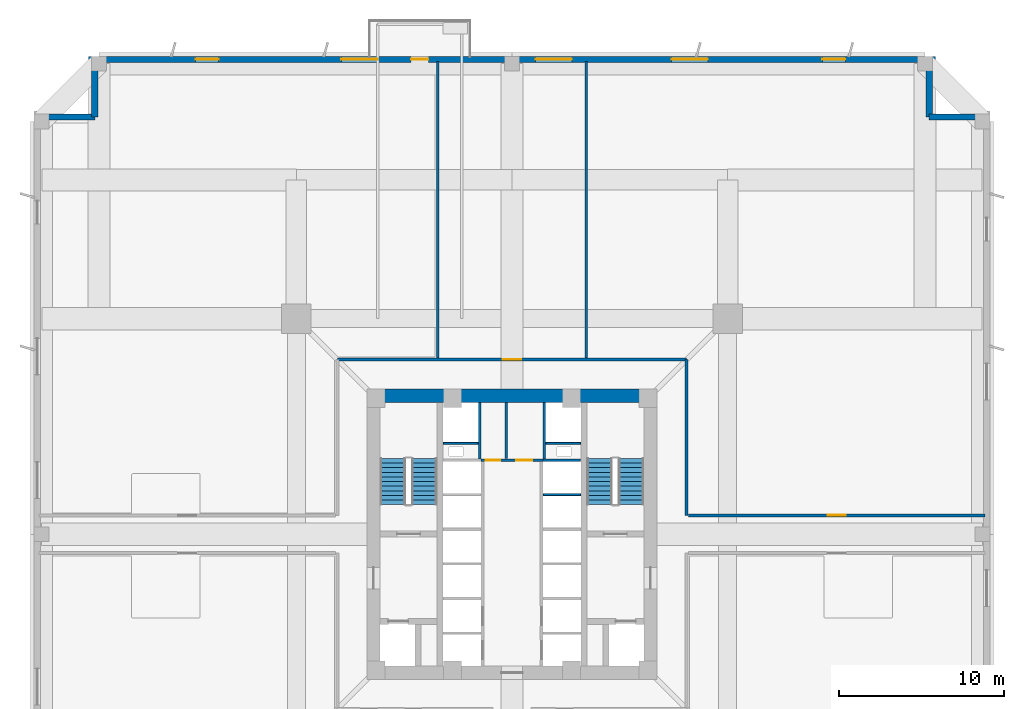
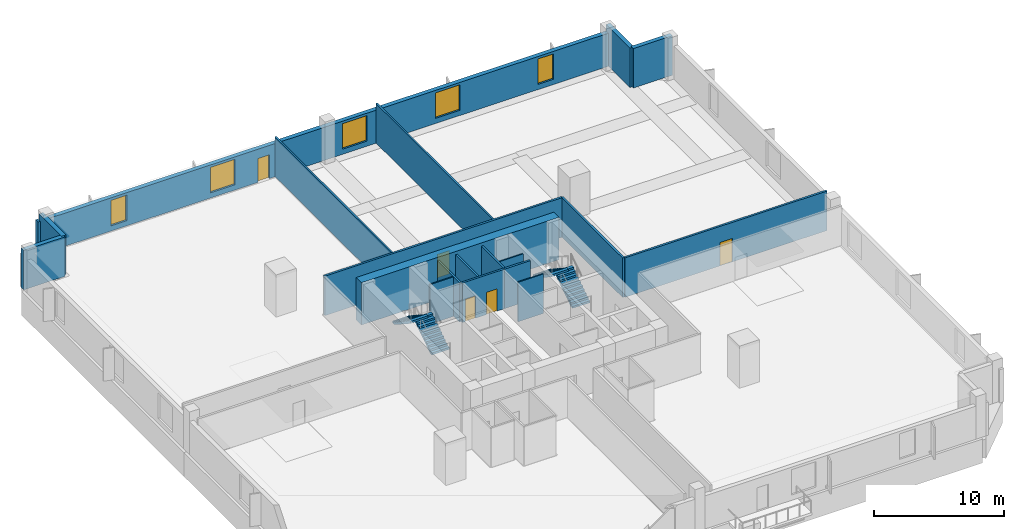
# One storey, part 4 of 9: 19 walls, 5 doors, 5 windows, 4 stair flights, 10 openings, 2 elements without a shape of their own.
"""IFC4 building model written with IfcOpenShell, lengths in metres."""

from ifc_helpers import new_model, si_unit, direction, frame, frame_2d, origin, place, context, subcontext, project, spatial, polyline, rectangle, outline, extrude, source, transform, mapped, material, layer, layer_set, type_object, element, fill, aggregate, save


model = new_model("IFC4")

# Units and contexts
model_context = context("Model", 3, precision=1e-05, world=origin(), true_north=direction((0.0, 1.0)))
body_context = subcontext(model_context, "Body", "Model", "MODEL_VIEW")
ifc_project = project(units=[si_unit("LENGTHUNIT", "METRE"), si_unit("AREAUNIT", "SQUARE_METRE"), si_unit("VOLUMEUNIT", "CUBIC_METRE"), si_unit("PLANEANGLEUNIT", "RADIAN"), si_unit("MASSUNIT", "GRAM", prefix="KILO"), si_unit("THERMODYNAMICTEMPERATUREUNIT", "KELVIN")], contexts=[model_context])

# Site, building, storey
site_placement = place(None, origin())
site = spatial("IfcSite", under=ifc_project, at=site_placement, CompositionType="ELEMENT")
building_placement = place(site_placement, origin())
building = spatial("IfcBuilding", under=site, at=building_placement, Name="Kosmvard Interchange Tower", CompositionType="ELEMENT")
storey_placement = place(building_placement, frame((0.0, 0.0, 26.0)))
storey = spatial("IfcBuildingStorey", under=building, at=storey_placement, Name="L05", CompositionType="ELEMENT", Elevation=26.0)

# Walls
ifc_material_1 = material(Name="Acoustic gypsum partition system")
ifc_layer_1 = layer(ifc_material_1, 0.14990234375, Name="Acoustic gypsum partition system")
ifc_layer_set_1 = layer_set([ifc_layer_1], Name="Acoustic gypsum partition system")
wall_type_1 = type_object("IfcWallType", Name="Acoustic Suite & Meeting Partition 150", PredefinedType="PARTITIONING", material=ifc_layer_set_1)
for number, where, z_axis, x_axis, name in (
    (1, (-4.5, 10.695068359375, 0.0), (0.0, 0.0, 1.0), (0.0, 1.0, 0.0), "L05 Room Partition 01.1"),
    (2, (4.5, 10.695068359375, 0.0), (0.0, 0.0, 1.0), (0.0, 1.0, 0.0), "L05 Room Partition 02.1"),
):
    element("IfcWall", number, at=place(storey_placement, frame(where, z_axis=z_axis, x_axis=x_axis)), inside=storey, type_object=wall_type_1, Name=name, PredefinedType="PARTITIONING", context=body_context, shape_type="SweptSolid", body=[
        extrude(rectangle(XDim=17.989990234375, YDim=0.14990234375, at=frame_2d((8.9951171875, 0.0))), origin(), (0.0, 0.0, 1.0), 3.719970703125),
    ])
ifc_material_2 = material(Name="Fire-rated gypsum partition system")
ifc_layer_2 = layer(ifc_material_2, 0.159912109375, Name="Fire-rated gypsum partition system")
ifc_layer_set_2 = layer_set([ifc_layer_2], Name="Fire-rated gypsum partition system")
wall_type_2 = type_object("IfcWallType", Name="Core Compartment & Shuttle Lobby Partition 160", PredefinedType="PARTITIONING", material=ifc_layer_set_2)
for number, where, z_axis, x_axis, name in (
    (3, (-1.9599609375, 4.580078125, 0.0), (0.0, 0.0, 1.0), (0.0, 1.0, 0.0), "L05 North Core West Wall"),
    (4, (1.9599609375, 4.580078125, 0.0), (0.0, 0.0, 1.0), (0.0, 1.0, 0.0), "L05 North Core East Wall"),
):
    element("IfcWall", number, at=place(storey_placement, frame(where, z_axis=z_axis, x_axis=x_axis)), inside=storey, type_object=wall_type_2, Name=name, PredefinedType="PARTITIONING", context=body_context, shape_type="SweptSolid", body=[
        extrude(rectangle(XDim=3.39990234375, YDim=0.159912109375, at=frame_2d((1.699951171875, 0.0))), origin(), (0.0, 0.0, 1.0), 3.719970703125),
    ])
ifc_material_3 = material(Name="Concrete blockwork masonry", Category="masonry")
ifc_layer_3 = layer(ifc_material_3, 0.159912109375, Name="Concrete blockwork masonry")
ifc_layer_set_3 = layer_set([ifc_layer_3], Name="Concrete blockwork masonry")
wall_type_3 = type_object("IfcWallType", Name="Core Enclosure Split Wall 160", PredefinedType="PARTITIONING", material=ifc_layer_set_3)
wall_1_placement = place(storey_placement, frame((-0.35009765625, 4.60009765625, 0.0), z_axis=(0.0, 0.0, 1.0), x_axis=(0.0, 1.0, 0.0)))
element("IfcWall", 5, at=wall_1_placement, inside=storey, type_object=wall_type_3, Name="L05 Core K2 Split Wall", PredefinedType="PARTITIONING", context=body_context, shape_type="SweptSolid", body=[
    extrude(rectangle(XDim=3.3798828125, YDim=0.159912109375, at=frame_2d((1.68994140625, 0.0))), origin(), (0.0, 0.0, 1.0), 3.719970703125),
])

# Wall, openings, doors
ifc_layer_4 = layer(ifc_material_2, 0.179931640625, Name="Fire-rated gypsum partition system")
ifc_layer_set_4 = layer_set([ifc_layer_4], Name="Fire-rated gypsum partition system")
wall_type_4 = type_object("IfcWallType", Name="Corridor & Hotel Compartment Partition 180", PredefinedType="PARTITIONING", material=ifc_layer_set_4)
wall_2_placement = place(storey_placement, frame((-1.8798828125, 4.489990234375, 0.0), z_axis=(0.0, 0.0, 1.0), x_axis=(1.0, 0.0, 0.0)))
wall_2 = element("IfcWall", 6, at=wall_2_placement, inside=storey, type_object=wall_type_4, Name="L05 Lift Lobby North Partition", PredefinedType="PARTITIONING", context=body_context, shape_type="SweptSolid", body=[
    extrude(rectangle(XDim=3.759765625, YDim=0.179931640625, at=frame_2d((1.8798828125, 0.0))), origin(), (0.0, 0.0, 1.0), 3.719970703125),
])
opening_1_placement = place(wall_2_placement, frame((0.280029296875, 0.0, 0.0)))
opening_1 = element("IfcOpeningElement", 7, at=opening_1_placement, cuts=wall_2, Name="Opening L05-KD1", PredefinedType="OPENING", context=body_context, shape_type="SweptSolid", body=[
    extrude(rectangle(XDim=0.8798828125, YDim=2.10009765625, at=frame_2d((0.43994140625, 1.050048828125))), frame((0.0, 0.10009765625, 0.0), z_axis=(0.0, -1.0, 0.0), x_axis=(1.0, 0.0, 0.0)), (0.0, 0.0, 1.0), 0.199951171875),
])
opening_2_placement = place(wall_2_placement, frame((2.14990234375, 0.0, 0.0)))
opening_2 = element("IfcOpeningElement", 8, at=opening_2_placement, cuts=wall_2, Name="Opening L05-KD2", PredefinedType="OPENING", context=body_context, shape_type="SweptSolid", body=[
    extrude(rectangle(XDim=0.949951171875, YDim=2.10009765625, at=frame_2d((0.47509765625, 1.050048828125))), frame((0.0, 0.10009765625, 0.0), z_axis=(0.0, -1.0, 0.0), x_axis=(1.0, 0.0, 0.0)), (0.0, 0.0, 1.0), 0.199951171875),
])
ifc_material_4 = material(Name="Painted fire-rated timber leaf", Category="wood")
door_type_1 = type_object("IfcDoorType", Name="Core Service Fire Door 950x2100 EI30", OperationType="NOTDEFINED", PredefinedType="DOOR", material=ifc_material_4)
shared_shape_1 = source(origin(), body_context, "Body", "SweptSolid", [
    extrude(rectangle(XDim=0.949951171875, YDim=2.10009765625, at=frame_2d((0.47509765625, 1.050048828125))), frame((0.0, 0.02490234375, 0.0), z_axis=(0.0, -1.0, 0.0), x_axis=(1.0, 0.0, 0.0)), (0.0, 0.0, 1.0), 0.050048828125),
])
door_1_placement = place(opening_2_placement, origin())
door_1 = element("IfcDoor", 9, at=door_1_placement, inside=storey, type_object=door_type_1, Name="L05 Core Tea Pantry Door", OperationType="SINGLE_SWING_RIGHT", OverallHeight=2.10009765625, OverallWidth=0.949951171875, PredefinedType="DOOR", context=body_context, shape_type="MappedRepresentation", body=[
    mapped(shared_shape_1, transform((0.0, 0.0, 0.0), scale=1.0)),
])
fill(opening_2, door_1)
door_type_2 = type_object("IfcDoorType", Name="Core Cupboard Fire Door 880x2100 EI30", OperationType="NOTDEFINED", PredefinedType="DOOR", material=ifc_material_4)
shared_shape_2 = source(origin(), body_context, "Body", "SweptSolid", [
    extrude(rectangle(XDim=0.8798828125, YDim=2.10009765625, at=frame_2d((0.43994140625, 1.050048828125))), frame((0.0, 0.02490234375, 0.0), z_axis=(0.0, -1.0, 0.0), x_axis=(1.0, 0.0, 0.0)), (0.0, 0.0, 1.0), 0.050048828125),
])
door_2_placement = place(opening_1_placement, origin())
door_2 = element("IfcDoor", 10, at=door_2_placement, inside=storey, type_object=door_type_2, Name="L05 Core Cleaner Cupboard Door", OperationType="SINGLE_SWING_LEFT", OverallHeight=2.10009765625, OverallWidth=0.8798828125, PredefinedType="DOOR", context=body_context, shape_type="MappedRepresentation", body=[
    mapped(shared_shape_2, transform((0.0, 0.0, 0.0), scale=1.0)),
])
fill(opening_1, door_2)

# Wall, opening, door
wall_3_placement = place(storey_placement, frame((-10.60009765625, 10.60009765625, 0.0), z_axis=(0.0, 0.0, 1.0), x_axis=(1.0, 0.0, 0.0)))
wall_3 = element("IfcWall", 11, at=wall_3_placement, inside=storey, type_object=wall_type_4, Name="L05 Corridor Wall CN", PredefinedType="PARTITIONING", context=body_context, shape_type="SweptSolid", body=[
    extrude(rectangle(XDim=21.2001953125, YDim=0.179931640625, at=frame_2d((10.60009765625, 0.0))), origin(), (0.0, 0.0, 1.0), 3.719970703125),
])
opening_3_placement = place(wall_3_placement, frame((10.050048828125, 0.0, 0.0)))
opening_3 = element("IfcOpeningElement", 12, at=opening_3_placement, cuts=wall_3, Name="Opening L05-D05", PredefinedType="OPENING", context=body_context, shape_type="SweptSolid", body=[
    extrude(rectangle(XDim=1.10009765625, YDim=2.199951171875, at=frame_2d((0.550048828125, 1.10009765625))), frame((0.0, 0.10009765625, 0.0), z_axis=(0.0, -1.0, 0.0), x_axis=(1.0, 0.0, 0.0)), (0.0, 0.0, 1.0), 0.199951171875),
])
ifc_material_5 = material(Name="Engineered oak fire-rated timber", Category="wood")
door_type_3 = type_object("IfcDoorType", Name="Office Suite Entrance Door 1100x2200 FD30S", OperationType="NOTDEFINED", PredefinedType="DOOR", material=ifc_material_5)
shared_shape_3 = source(origin(), body_context, "Body", "SweptSolid", [
    extrude(rectangle(XDim=1.10009765625, YDim=2.199951171875, at=frame_2d((0.550048828125, 1.10009765625))), frame((0.0, 0.02490234375, 0.0), z_axis=(0.0, -1.0, 0.0), x_axis=(1.0, 0.0, 0.0)), (0.0, 0.0, 1.0), 0.050048828125),
])
door_3_placement = place(opening_3_placement, origin())
door_3 = element("IfcDoor", 13, at=door_3_placement, inside=storey, type_object=door_type_3, Name="L05 Central Executive Boardroom Door", OperationType="SINGLE_SWING_LEFT", OverallHeight=2.199951171875, OverallWidth=1.10009765625, PredefinedType="DOOR", context=body_context, shape_type="MappedRepresentation", body=[
    mapped(shared_shape_3, transform((0.0, 0.0, 0.0), scale=1.0)),
])
fill(opening_3, door_3)

# Wall
wall_4_placement = place(storey_placement, frame((10.60009765625, 1.14990234375, 0.0), z_axis=(0.0, 0.0, 1.0), x_axis=(0.0, 1.0, 0.0)))
element("IfcWall", 14, at=wall_4_placement, inside=storey, type_object=wall_type_4, Name="L05 Corridor Wall CEN", PredefinedType="PARTITIONING", context=body_context, shape_type="SweptSolid", body=[
    extrude(rectangle(XDim=9.4501953125, YDim=0.179931640625, at=frame_2d((4.72509765625, 0.0))), origin(), (0.0, 0.0, 1.0), 3.719970703125),
])

# Wall, opening, door
wall_5_placement = place(storey_placement, frame((10.699951171875, 1.14990234375, 0.0), z_axis=(0.0, 0.0, 1.0), x_axis=(1.0, 0.0, 0.0)))
wall_5 = element("IfcWall", 15, at=wall_5_placement, inside=storey, type_object=wall_type_4, Name="L05 Corridor Wall SEN", PredefinedType="PARTITIONING", context=body_context, shape_type="SweptSolid", body=[
    extrude(rectangle(XDim=17.985107421875, YDim=0.179931640625, at=frame_2d((8.99267578125, 0.0))), origin(), (0.0, 0.0, 1.0), 3.719970703125),
])
opening_4_placement = place(wall_5_placement, frame((8.4423828125, 0.0, 0.0)))
opening_4 = element("IfcOpeningElement", 16, at=opening_4_placement, cuts=wall_5, Name="Opening L05-D06", PredefinedType="OPENING", context=body_context, shape_type="SweptSolid", body=[
    extrude(rectangle(XDim=1.10009765625, YDim=2.199951171875, at=frame_2d((0.550048828125, 1.10009765625))), frame((0.0, 0.10009765625, 0.0), z_axis=(0.0, -1.0, 0.0), x_axis=(1.0, 0.0, 0.0)), (0.0, 0.0, 1.0), 0.199951171875),
])
door_4_placement = place(opening_4_placement, origin())
door_4 = element("IfcDoor", 17, at=door_4_placement, inside=storey, type_object=door_type_3, Name="L05 North-East Open Plan Workplace Door", OperationType="SINGLE_SWING_RIGHT", OverallHeight=2.199951171875, OverallWidth=1.10009765625, PredefinedType="DOOR", context=body_context, shape_type="MappedRepresentation", body=[
    mapped(shared_shape_3, transform((0.0, 0.0, 0.0), scale=1.0)),
])
fill(opening_4, door_4)

# Walls
ifc_material_6 = material(Name="Concrete C80/95", Category="concrete")
ifc_layer_5 = layer(ifc_material_6, 0.800048828125, Name="Concrete C80/95")
ifc_layer_set_5 = layer_set([ifc_layer_5], Name="Concrete C80/95")
wall_type_5 = type_object("IfcWallType", Name="Lower Core Shear Wall 800 C80/95", PredefinedType="SHEAR", material=ifc_layer_set_5)
wall_6_placement = place(storey_placement, frame((-8.800048828125, 8.39990234375, 0.0), z_axis=(0.0, 0.0, 1.0), x_axis=(1.0, 0.0, 0.0)))
element("IfcWall", 18, at=wall_6_placement, inside=storey, type_object=wall_type_5, Name="L05 Core Shear Wall CW-N", PredefinedType="SHEAR", context=body_context, shape_type="SweptSolid", body=[
    extrude(rectangle(XDim=17.60009765625, YDim=0.800048828125, at=frame_2d((8.800048828125, 0.0))), origin(), (0.0, 0.0, 1.0), 4.0),
])
ifc_material_7 = material(Name="Precast concrete C45/55", Category="concrete")
ifc_layer_6 = layer(ifc_material_7, 0.3798828125, Name="Precast concrete C45/55")
ifc_layer_set_6 = layer_set([ifc_layer_6], Name="Precast concrete C45/55")
wall_type_6 = type_object("IfcWallType", Name="Lower Tower Precast Pier Wall 380 C45/55", PredefinedType="STANDARD", material=ifc_layer_set_6)
wall_7_placement = place(storey_placement, frame((28.81005859375, 25.31005859375, 0.0), z_axis=(0.0, 0.0, 1.0), x_axis=(-1.0, 0.0, 0.0)))
element("IfcWall", 19, at=wall_7_placement, inside=storey, type_object=wall_type_6, Name="L05 Precast Facade Wall N-NE1", PredefinedType="STANDARD", context=body_context, shape_type="SweptSolid", body=[
    extrude(rectangle(XDim=3.5, YDim=0.3798828125, at=frame_2d((1.75, 0.0))), origin(), (0.0, 0.0, 1.0), 3.719970703125),
])
wall_8_placement = place(storey_placement, frame((25.31005859375, 25.31005859375, 0.0), z_axis=(0.0, 0.0, 1.0), x_axis=(0.0, 1.0, 0.0)))
element("IfcWall", 20, at=wall_8_placement, inside=storey, type_object=wall_type_6, Name="L05 Precast Facade Wall N-NE2", PredefinedType="STANDARD", context=body_context, shape_type="SweptSolid", body=[
    extrude(rectangle(XDim=3.68994140625, YDim=0.3798828125, at=frame_2d((1.844970703125, 0.0))), origin(), (0.0, 0.0, 1.0), 3.719970703125),
])

# Wall, openings, door, windows
wall_9_placement = place(storey_placement, frame((25.68994140625, 28.81005859375, 0.0), z_axis=(0.0, 0.0, 1.0), x_axis=(-1.0, 0.0, 0.0)))
wall_9 = element("IfcWall", 21, at=wall_9_placement, inside=storey, type_object=wall_type_6, Name="L05 Precast Facade Wall F-N", PredefinedType="STANDARD", context=body_context, shape_type="SweptSolid", body=[
    extrude(rectangle(XDim=51.3798828125, YDim=0.3798828125, at=frame_2d((25.68994140625, 0.0))), origin(), (0.0, 0.0, 1.0), 3.1201171875),
])
opening_5_placement = place(wall_9_placement, frame((30.764892578125, 0.0, 0.0)))
opening_5 = element("IfcOpeningElement", 22, at=opening_5_placement, cuts=wall_9, Name="Opening L05-BDE", PredefinedType="OPENING", context=body_context, shape_type="SweptSolid", body=[
    extrude(rectangle(XDim=1.050048828125, YDim=2.25, at=frame_2d((0.52490234375, 1.125))), frame((0.0, 0.199951171875, 0.0), z_axis=(0.0, -1.0, 0.0), x_axis=(1.0, 0.0, 0.0)), (0.0, 0.0, 1.0), 0.39990234375),
])
opening_6_placement = place(wall_9_placement, frame((5.465576171875, 0.0, 0.489990234375)))
opening_6 = element("IfcOpeningElement", 23, at=opening_6_placement, cuts=wall_9, Name="Opening L05-W11", PredefinedType="OPENING", context=body_context, shape_type="SweptSolid", body=[
    extrude(rectangle(XDim=1.39990234375, YDim=2.39990234375, at=frame_2d((0.699951171875, 1.199951171875))), frame((0.0, 0.199951171875, 0.0), z_axis=(0.0, -1.0, 0.0), x_axis=(1.0, 0.0, 0.0)), (0.0, 0.0, 1.0), 0.39990234375),
])
opening_7_placement = place(wall_9_placement, frame((13.80029296875, 0.0, 0.489990234375)))
opening_7 = element("IfcOpeningElement", 24, at=opening_7_placement, cuts=wall_9, Name="Opening L05-W12", PredefinedType="OPENING", context=body_context, shape_type="SweptSolid", body=[
    extrude(rectangle(XDim=2.199951171875, YDim=2.39990234375, at=frame_2d((1.10009765625, 1.199951171875))), frame((0.0, 0.199951171875, 0.0), z_axis=(0.0, -1.0, 0.0), x_axis=(1.0, 0.0, 0.0)), (0.0, 0.0, 1.0), 0.39990234375),
])
opening_8_placement = place(wall_9_placement, frame((22.0625, 0.0, 0.489990234375)))
opening_8 = element("IfcOpeningElement", 25, at=opening_8_placement, cuts=wall_9, Name="Opening L05-W13", PredefinedType="OPENING", context=body_context, shape_type="SweptSolid", body=[
    extrude(rectangle(XDim=2.199951171875, YDim=2.39990234375, at=frame_2d((1.10009765625, 1.199951171875))), frame((0.0, 0.199951171875, 0.0), z_axis=(0.0, -1.0, 0.0), x_axis=(1.0, 0.0, 0.0)), (0.0, 0.0, 1.0), 0.39990234375),
])
opening_9_placement = place(wall_9_placement, frame((33.83837890625, 0.0, 0.489990234375)))
opening_9 = element("IfcOpeningElement", 26, at=opening_9_placement, cuts=wall_9, Name="Opening L05-W14", PredefinedType="OPENING", context=body_context, shape_type="SweptSolid", body=[
    extrude(rectangle(XDim=2.199951171875, YDim=2.39990234375, at=frame_2d((1.10009765625, 1.199951171875))), frame((0.0, 0.199951171875, 0.0), z_axis=(0.0, -1.0, 0.0), x_axis=(1.0, 0.0, 0.0)), (0.0, 0.0, 1.0), 0.39990234375),
])
opening_10_placement = place(wall_9_placement, frame((43.48681640625, 0.0, 0.489990234375)))
opening_10 = element("IfcOpeningElement", 27, at=opening_10_placement, cuts=wall_9, Name="Opening L05-W15", PredefinedType="OPENING", context=body_context, shape_type="SweptSolid", body=[
    extrude(rectangle(XDim=1.39990234375, YDim=2.39990234375, at=frame_2d((0.699951171875, 1.199951171875))), frame((0.0, 0.199951171875, 0.0), z_axis=(0.0, -1.0, 0.0), x_axis=(1.0, 0.0, 0.0)), (0.0, 0.0, 1.0), 0.39990234375),
])
ifc_material_8 = material(Name="Anodised aluminium and safety glass", Category="aluminium")
door_type_4 = type_object("IfcDoorType", Name="Tree-Balcony Glazed Door 1050x2250", OperationType="NOTDEFINED", PredefinedType="DOOR", material=ifc_material_8)
shared_shape_4 = source(origin(), body_context, "Body", "SweptSolid", [
    extrude(rectangle(XDim=1.050048828125, YDim=2.25, at=frame_2d((0.52490234375, 1.125))), frame((0.0, 0.02490234375, 0.0), z_axis=(0.0, -1.0, 0.0), x_axis=(1.0, 0.0, 0.0)), (0.0, 0.0, 1.0), 0.050048828125),
])
door_5_placement = place(opening_5_placement, origin())
door_5 = element("IfcDoor", 28, at=door_5_placement, inside=storey, type_object=door_type_4, Name="L05 Tree-Balcony Door BAL-L05-NE", OperationType="SINGLE_SWING_RIGHT", OverallHeight=2.25, OverallWidth=1.050048828125, PredefinedType="DOOR", context=body_context, shape_type="MappedRepresentation", body=[
    mapped(shared_shape_4, transform((0.0, 0.0, 0.0), scale=1.0)),
])
fill(opening_5, door_5)
ifc_material_9 = material(Name="Low-E solar-control double glazing", Category="glass")
window_type_1 = type_object("IfcWindowType", Name="Notched Corner Feature Window 1400x2400", PartitioningType="SINGLE_PANEL", PredefinedType="WINDOW", material=ifc_material_9)
shared_shape_5 = source(origin(), body_context, "Body", "SweptSolid", [
    extrude(rectangle(XDim=1.39990234375, YDim=2.39990234375, at=frame_2d((0.699951171875, 1.199951171875))), frame((0.0, 0.030029296875, 0.0), z_axis=(0.0, -1.0, 0.0), x_axis=(1.0, 0.0, 0.0)), (0.0, 0.0, 1.0), 0.06005859375),
])
window_1_placement = place(opening_6_placement, origin())
window_1 = element("IfcWindow", 29, at=window_1_placement, inside=storey, type_object=window_type_1, Name="L05 Facade Punched Window 11", OverallHeight=2.39990234375, OverallWidth=1.39990234375, PartitioningType="SINGLE_PANEL", PredefinedType="WINDOW", context=body_context, shape_type="MappedRepresentation", body=[
    mapped(shared_shape_5, transform((0.0, 0.0, 0.0), scale=1.0)),
])
fill(opening_6, window_1)
window_2_placement = place(opening_10_placement, origin())
window_2 = element("IfcWindow", 30, at=window_2_placement, inside=storey, type_object=window_type_1, Name="L05 Facade Punched Window 15", OverallHeight=2.39990234375, OverallWidth=1.39990234375, PartitioningType="SINGLE_PANEL", PredefinedType="WINDOW", context=body_context, shape_type="MappedRepresentation", body=[
    mapped(shared_shape_5, transform((0.0, 0.0, 0.0), scale=1.0)),
])
fill(opening_10, window_2)
window_type_2 = type_object("IfcWindowType", Name="Zone 1 Office Punched Window 2200x2400", PartitioningType="SINGLE_PANEL", PredefinedType="WINDOW", material=ifc_material_9)
shared_shape_6 = source(origin(), body_context, "Body", "SweptSolid", [
    extrude(rectangle(XDim=2.199951171875, YDim=2.39990234375, at=frame_2d((1.10009765625, 1.199951171875))), frame((0.0, 0.030029296875, 0.0), z_axis=(0.0, -1.0, 0.0), x_axis=(1.0, 0.0, 0.0)), (0.0, 0.0, 1.0), 0.06005859375),
])
window_3_placement = place(opening_7_placement, origin())
window_3 = element("IfcWindow", 31, at=window_3_placement, inside=storey, type_object=window_type_2, Name="L05 Facade Punched Window 12", OverallHeight=2.39990234375, OverallWidth=2.199951171875, PartitioningType="SINGLE_PANEL", PredefinedType="WINDOW", context=body_context, shape_type="MappedRepresentation", body=[
    mapped(shared_shape_6, transform((0.0, 0.0, 0.0), scale=1.0)),
])
fill(opening_7, window_3)
window_4_placement = place(opening_8_placement, origin())
window_4 = element("IfcWindow", 32, at=window_4_placement, inside=storey, type_object=window_type_2, Name="L05 Facade Punched Window 13", OverallHeight=2.39990234375, OverallWidth=2.199951171875, PartitioningType="SINGLE_PANEL", PredefinedType="WINDOW", context=body_context, shape_type="MappedRepresentation", body=[
    mapped(shared_shape_6, transform((0.0, 0.0, 0.0), scale=1.0)),
])
fill(opening_8, window_4)
window_5_placement = place(opening_9_placement, origin())
window_5 = element("IfcWindow", 33, at=window_5_placement, inside=storey, type_object=window_type_2, Name="L05 Facade Punched Window 14", OverallHeight=2.39990234375, OverallWidth=2.199951171875, PartitioningType="SINGLE_PANEL", PredefinedType="WINDOW", context=body_context, shape_type="MappedRepresentation", body=[
    mapped(shared_shape_6, transform((0.0, 0.0, 0.0), scale=1.0)),
])
fill(opening_9, window_5)

# Walls
wall_10_placement = place(storey_placement, frame((-25.31005859375, 28.81005859375, 0.0), z_axis=(0.0, 0.0, 1.0), x_axis=(0.0, -1.0, 0.0)))
element("IfcWall", 34, at=wall_10_placement, inside=storey, type_object=wall_type_6, Name="L05 Precast Facade Wall N-NW1", PredefinedType="STANDARD", context=body_context, shape_type="SweptSolid", body=[
    extrude(rectangle(XDim=3.5, YDim=0.3798828125, at=frame_2d((1.75, 0.0))), origin(), (0.0, 0.0, 1.0), 3.719970703125),
])
wall_11_placement = place(storey_placement, frame((-25.31005859375, 25.31005859375, 0.0), z_axis=(0.0, 0.0, 1.0), x_axis=(-1.0, 0.0, 0.0)))
element("IfcWall", 35, at=wall_11_placement, inside=storey, type_object=wall_type_6, Name="L05 Precast Facade Wall N-NW2", PredefinedType="STANDARD", context=body_context, shape_type="SweptSolid", body=[
    extrude(rectangle(XDim=3.68994140625, YDim=0.3798828125, at=frame_2d((1.844970703125, 0.0))), origin(), (0.0, 0.0, 1.0), 3.719970703125),
])
ifc_layer_7 = layer(ifc_material_3, 0.179931640625, Name="Concrete blockwork masonry")
ifc_layer_set_7 = layer_set([ifc_layer_7], Name="Concrete blockwork masonry")
wall_type_7 = type_object("IfcWallType", Name="Riser & Lift Bank Divider Wall 180", PredefinedType="PARTITIONING", material=ifc_layer_set_7)
wall_12_placement = place(storey_placement, frame((1.889892578125, 4.489990234375, 0.0), z_axis=(0.0, 0.0, 1.0), x_axis=(1.0, 0.0, 0.0)))
element("IfcWall", 36, at=wall_12_placement, inside=storey, type_object=wall_type_7, Name="L05 East Bank Divider BD3", PredefinedType="PARTITIONING", context=body_context, shape_type="SweptSolid", body=[
    extrude(rectangle(XDim=2.280029296875, YDim=0.179931640625, at=frame_2d((1.14013671875, 0.0))), origin(), (0.0, 0.0, 1.0), 3.719970703125),
])
ifc_material_10 = material(Name="Fire-rated gypsum shaftwall system")
ifc_layer_8 = layer(ifc_material_10, 0.1201171875, Name="Fire-rated gypsum shaftwall system")
ifc_layer_set_8 = layer_set([ifc_layer_8], Name="Fire-rated gypsum shaftwall system")
wall_type_8 = type_object("IfcWallType", Name="Shaft & Riser Fire Partition 120 EI60", PredefinedType="PARTITIONING", material=ifc_layer_set_8)
wall_13_placement = place(storey_placement, frame((1.89990234375, 2.39990234375, 0.0), z_axis=(0.0, 0.0, 1.0), x_axis=(1.0, 0.0, 0.0)))
element("IfcWall", 37, at=wall_13_placement, inside=storey, type_object=wall_type_8, Name="L05 Shaft Divider PL-H3", PredefinedType="PARTITIONING", context=body_context, shape_type="SweptSolid", body=[
    extrude(rectangle(XDim=2.260009765625, YDim=0.1201171875, at=frame_2d((1.1298828125, 0.0))), origin(), (0.0, 0.0, 1.0), 3.719970703125),
])
for number, where, z_axis, x_axis, name in (
    (38, (-4.159912109375, 5.52001953125, 0.0), (0.0, 0.0, 1.0), (1.0, 0.0, 0.0), "L05 Riser Shaft Divider W"),
    (39, (2.06005859375, 5.52001953125, 0.0), (0.0, 0.0, 1.0), (1.0, 0.0, 0.0), "L05 Riser Shaft Divider E"),
):
    element("IfcWall", number, at=place(storey_placement, frame(where, z_axis=z_axis, x_axis=x_axis)), inside=storey, type_object=wall_type_8, Name=name, PredefinedType="PARTITIONING", context=body_context, shape_type="SweptSolid", body=[
        extrude(rectangle(XDim=2.099853515625, YDim=0.1201171875, at=frame_2d((1.0498046875, 0.0))), origin(), (0.0, 0.0, 1.0), 3.719970703125),
    ])

# Stair, stair flights
ifc_material_11 = material(Name="Concrete C50/60", Category="concrete")
stair_type = type_object("IfcStairType", Name="Dog-Leg Core Exit Stair H4000 C50/60", PredefinedType="HALF_TURN_STAIR", material=ifc_material_11)
stair_1_placement = place(storey_placement, origin())
stair_1 = element("IfcStair", 40, at=stair_1_placement, inside=storey, type_object=stair_type, Name="L05 Protected Exit Stair ST-1", PredefinedType="HALF_TURN_STAIR")
stair_flight_type = type_object("IfcStairFlightType", Name="Core Stair Flight W1550 H4000 C50/60", PredefinedType="STRAIGHT", material=ifc_material_11)
shared_shape_7 = source(origin(), body_context, "Body", "SweptSolid", [
    extrude(outline(polyline([(0.0, 0.0), (0.0, 0.181884765625), (0.280029296875, 0.181884765625), (0.280029296875, 0.363525390625), (0.56005859375, 0.363525390625), (0.56005859375, 0.54541015625), (0.840087890625, 0.54541015625), (0.840087890625, 0.727294921875), (1.1201171875, 0.727294921875), (1.1201171875, 0.9091796875), (1.39990234375, 0.9091796875), (1.39990234375, 1.0908203125), (1.679931640625, 1.0908203125), (1.679931640625, 1.272705078125), (1.9599609375, 1.272705078125), (1.9599609375, 1.45458984375), (2.239990234375, 1.45458984375), (2.239990234375, 1.636474609375), (2.52001953125, 1.636474609375), (2.52001953125, 1.818115234375), (2.800048828125, 1.818115234375), (2.800048828125, 2.0), (2.800048828125, 1.62744140625), (0.293701171875, 0.0), (0.0, 0.0)])), frame((0.0, 0.77490234375, 0.0), z_axis=(0.0, -1.0, 0.0), x_axis=(1.0, 0.0, 0.0)), (0.0, 0.0, 1.0), 1.550048828125),
])
stair_flight_1_placement = place(storey_placement, frame((-5.31494140625, 1.800048828125, 0.0), z_axis=(0.0, 0.0, 1.0), x_axis=(0.0, 1.0, 0.0)))
stair_flight_1 = element("IfcStairFlight", 41, at=stair_flight_1_placement, type_object=stair_flight_type, Name="ST-1 flight 1", NumberOfRisers=11, NumberOfTreads=10, PredefinedType="STRAIGHT", RiserHeight=0.181818182, TreadLength=0.28, context=body_context, shape_type="MappedRepresentation", body=[
    mapped(shared_shape_7, transform((0.0, 0.0, 0.0), scale=1.0)),
])
stair_flight_2_placement = place(storey_placement, frame((-7.22509765625, 4.60009765625, 2.0), z_axis=(0.0, 0.0, 1.0), x_axis=(0.0, -1.0, 0.0)))
stair_flight_2 = element("IfcStairFlight", 42, at=stair_flight_2_placement, type_object=stair_flight_type, Name="ST-1 flight 2", NumberOfRisers=11, NumberOfTreads=10, PredefinedType="STRAIGHT", RiserHeight=0.181818182, TreadLength=0.28, context=body_context, shape_type="MappedRepresentation", body=[
    mapped(shared_shape_7, transform((0.0, 0.0, 0.0), scale=1.0)),
])
aggregate(stair_1, [stair_flight_1, stair_flight_2])

stair_2_placement = place(storey_placement, origin())
stair_2 = element("IfcStair", 43, at=stair_2_placement, inside=storey, type_object=stair_type, Name="L05 Protected Exit Stair ST-2", PredefinedType="HALF_TURN_STAIR")
stair_flight_3_placement = place(storey_placement, frame((7.22509765625, 1.800048828125, 0.0), z_axis=(0.0, 0.0, 1.0), x_axis=(0.0, 1.0, 0.0)))
stair_flight_3 = element("IfcStairFlight", 44, at=stair_flight_3_placement, type_object=stair_flight_type, Name="ST-2 flight 1", NumberOfRisers=11, NumberOfTreads=10, PredefinedType="STRAIGHT", RiserHeight=0.181818182, TreadLength=0.28, context=body_context, shape_type="MappedRepresentation", body=[
    mapped(shared_shape_7, transform((0.0, 0.0, 0.0), scale=1.0)),
])
stair_flight_4_placement = place(storey_placement, frame((5.31494140625, 4.60009765625, 2.0), z_axis=(0.0, 0.0, 1.0), x_axis=(0.0, -1.0, 0.0)))
stair_flight_4 = element("IfcStairFlight", 45, at=stair_flight_4_placement, type_object=stair_flight_type, Name="ST-2 flight 2", NumberOfRisers=11, NumberOfTreads=10, PredefinedType="STRAIGHT", RiserHeight=0.181818182, TreadLength=0.28, context=body_context, shape_type="MappedRepresentation", body=[
    mapped(shared_shape_7, transform((0.0, 0.0, 0.0), scale=1.0)),
])
aggregate(stair_2, [stair_flight_3, stair_flight_4])

save(model, "model.ifc")
